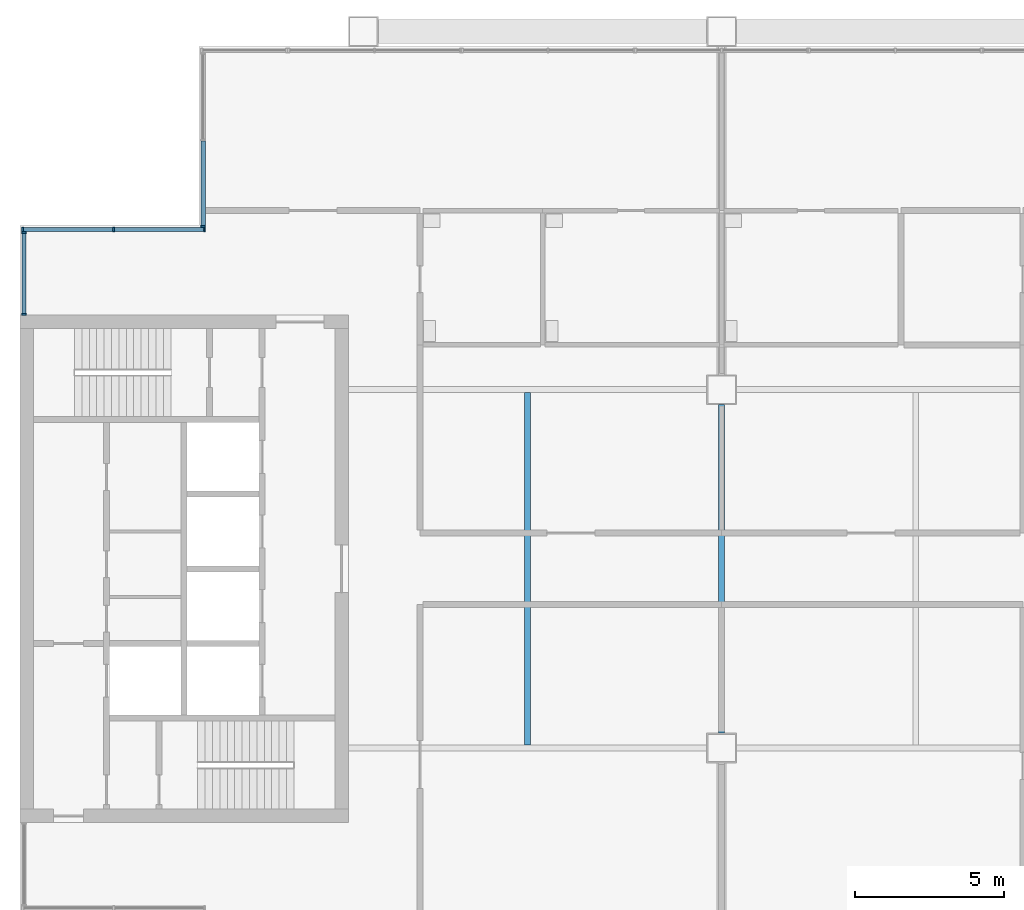
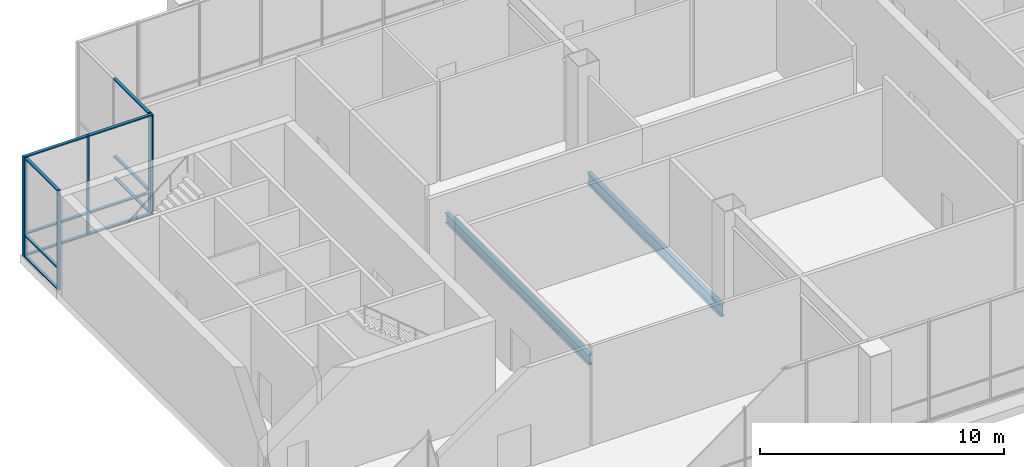
# One storey, part 4 of 15: 18 members, 2 beams, 3 elements without a shape of their own.
"""IFC4 building model written with IfcOpenShell, lengths in metres."""

from ifc_helpers import new_model, si_unit, direction, frame, origin, origin_2d, place, context, subcontext, project, spatial, rectangle, i_section, extrude, material, material_profile, profile_set, type_object, element, aggregate, save


model = new_model("IFC4")

# Units and contexts
model_context = context("Model", 3, precision=1e-05, world=origin(), true_north=direction((0.0, 1.0)))
body_context = subcontext(model_context, "Body", "Model", "MODEL_VIEW")
ifc_project = project(units=[si_unit("LENGTHUNIT", "METRE"), si_unit("AREAUNIT", "SQUARE_METRE"), si_unit("VOLUMEUNIT", "CUBIC_METRE"), si_unit("PLANEANGLEUNIT", "RADIAN"), si_unit("MASSUNIT", "GRAM", prefix="KILO")], contexts=[model_context])

# Site, building, storey
site_placement = place(None, origin())
site = spatial("IfcSite", under=ifc_project, at=site_placement, CompositionType="ELEMENT")
building_placement = place(site_placement, origin())
building = spatial("IfcBuilding", under=site, at=building_placement, Name="Kitamizu Gate Tower and Museum", CompositionType="ELEMENT")
storey_placement = place(building_placement, frame((0.0, 0.0, 277.949951171875)))
storey = spatial("IfcBuildingStorey", under=building, at=storey_placement, Name="L75", CompositionType="ELEMENT", Elevation=277.949951171875)

# Beams
ifc_material_1 = material(Name="Steel SM490A", Category="steel")
ifc_material_profile_1 = material_profile(ifc_material_1, i_section(OverallWidth=0.199951171875, OverallDepth=0.5, WebThickness=0.010009765625, FlangeThickness=0.01611328125, FilletRadius=0.02001953125, at=origin_2d()), Name="H-500x200x10x16")
ifc_profile_set_1 = profile_set([ifc_material_profile_1], Name="Steel SM490A")
beam_type_1 = type_object("IfcBeamType", Name="Floor beam FB1 H 500x200x10x16", PredefinedType="BEAM", material=ifc_profile_set_1)
beam_1_placement = place(storey_placement, frame((29.5, 24.10009765625, -0.64990234375), z_axis=(0.0, 1.0, 0.0), x_axis=(-1.0, 0.0, 0.0)))
element("IfcBeam", 1, at=beam_1_placement, inside=storey, type_object=beam_type_1, Name="Floor beam FB1 L75-1", PredefinedType="BEAM", context=body_context, shape_type="SweptSolid", body=[
    extrude(i_section(OverallWidth=0.199951171875, OverallDepth=0.5, WebThickness=0.010009765625, FlangeThickness=0.01611328125, FilletRadius=0.02001953125, at=origin_2d()), origin(), (0.0, 0.0, 1.0), 11.7998046875),
])
ifc_material_2 = material(Name="Steel SM490A", Category="steel")
ifc_material_profile_2 = material_profile(ifc_material_2, i_section(OverallWidth=0.199951171875, OverallDepth=0.60009765625, WebThickness=0.010986328125, FlangeThickness=0.01708984375, FilletRadius=0.02197265625, at=origin_2d()), Name="H-600x200x11x17")
ifc_profile_set_2 = profile_set([ifc_material_profile_2], Name="Steel SM490A")
beam_type_2 = type_object("IfcBeamType", Name="Floor girder FG1 H 600x200x11x17", PredefinedType="BEAM", material=ifc_profile_set_2)
beam_2_placement = place(storey_placement, frame((36.0, 24.5, -0.699951171875), z_axis=(0.0, 1.0, 0.0), x_axis=(-1.0, 0.0, 0.0)))
element("IfcBeam", 2, at=beam_2_placement, inside=storey, type_object=beam_type_2, Name="Floor girder FG1 x36 L75", PredefinedType="BEAM", context=body_context, shape_type="SweptSolid", body=[
    extrude(i_section(OverallWidth=0.199951171875, OverallDepth=0.60009765625, WebThickness=0.010986328125, FlangeThickness=0.01708984375, FilletRadius=0.02197265625, at=origin_2d()), origin(), (0.0, 0.0, 1.0), 11.0),
])

# Curtain wall, member
ifc_material_3 = material(Name="Bronze anodised aluminium frame, tinted triple glazing", Category="aluminium")
curtain_wall_type = type_object("IfcCurtainWallType", Name="CURTAIN WALL TYPE C SKY AMENITY", PredefinedType="NOTDEFINED", material=ifc_material_3)
curtain_wall_1_placement = place(storey_placement, origin())
curtain_wall_1 = element("IfcCurtainWall", 3, at=curtain_wall_1_placement, inside=storey, type_object=curtain_wall_type, Name="Curtain wall CW-C west L75", PredefinedType="NOTDEFINED")
ifc_material_4 = material(Name="Bronze anodised aluminium", Category="aluminium")
ifc_material_profile_3 = material_profile(ifc_material_4, rectangle(XDim=0.06005859375, YDim=0.14990234375, at=origin_2d()), Name="AL 60X150")
ifc_profile_set_3 = profile_set([ifc_material_profile_3], Name="Bronze anodised aluminium")
member_type_1 = type_object("IfcMemberType", Name="MULLION 60 X 150 TYPE C", PredefinedType="MULLION", material=ifc_profile_set_3)
member_1_placement = place(storey_placement, frame((18.635009765625, 41.469970703125, 0.0), z_axis=(0.0, 0.0, 1.0), x_axis=(0.0, 1.0, 0.0)))
member_1 = element("IfcMember", 4, at=member_1_placement, type_object=member_type_1, Name="CW-C mullion 1", PredefinedType="MULLION", context=body_context, shape_type="SweptSolid", body=[
    extrude(rectangle(XDim=0.06005859375, YDim=0.14990234375, at=origin_2d()), origin(), (0.0, 0.0, 1.0), 5.0),
])

# Curtain wall, members
curtain_wall_2_placement = place(storey_placement, origin())
curtain_wall_2 = element("IfcCurtainWall", 5, at=curtain_wall_2_placement, inside=storey, type_object=curtain_wall_type, Name="Curtain wall CW-C north L75", PredefinedType="NOTDEFINED")
member_2_placement = place(storey_placement, frame((12.590087890625, 41.364990234375, 0.0), z_axis=(0.0, 0.0, 1.0), x_axis=(1.0, 0.0, 0.0)))
member_2 = element("IfcMember", 6, at=member_2_placement, type_object=member_type_1, Name="CW-C mullion 1", PredefinedType="MULLION", context=body_context, shape_type="SweptSolid", body=[
    extrude(rectangle(XDim=0.06005859375, YDim=0.14990234375, at=origin_2d()), origin(), (0.0, 0.0, 1.0), 5.0),
])
member_3_placement = place(storey_placement, frame((15.635009765625, 41.364990234375, 0.0), z_axis=(0.0, 0.0, 1.0), x_axis=(1.0, 0.0, 0.0)))
member_3 = element("IfcMember", 7, at=member_3_placement, type_object=member_type_1, Name="CW-C mullion 2", PredefinedType="MULLION", context=body_context, shape_type="SweptSolid", body=[
    extrude(rectangle(XDim=0.06005859375, YDim=0.14990234375, at=origin_2d()), origin(), (0.0, 0.0, 1.0), 5.0),
])
member_4_placement = place(storey_placement, frame((18.679931640625, 41.364990234375, 0.0), z_axis=(0.0, 0.0, 1.0), x_axis=(1.0, 0.0, 0.0)))
member_4 = element("IfcMember", 8, at=member_4_placement, type_object=member_type_1, Name="CW-C mullion 3", PredefinedType="MULLION", context=body_context, shape_type="SweptSolid", body=[
    extrude(rectangle(XDim=0.06005859375, YDim=0.14990234375, at=origin_2d()), origin(), (0.0, 0.0, 1.0), 5.0),
])

curtain_wall_3_placement = place(storey_placement, origin())
curtain_wall_3 = element("IfcCurtainWall", 9, at=curtain_wall_3_placement, inside=storey, type_object=curtain_wall_type, Name="Curtain wall CW-C west L75", PredefinedType="NOTDEFINED")
member_5_placement = place(storey_placement, frame((12.635009765625, 38.530029296875, 0.0), z_axis=(0.0, 0.0, 1.0), x_axis=(0.0, 1.0, 0.0)))
member_5 = element("IfcMember", 10, at=member_5_placement, type_object=member_type_1, Name="CW-C mullion 1", PredefinedType="MULLION", context=body_context, shape_type="SweptSolid", body=[
    extrude(rectangle(XDim=0.06005859375, YDim=0.14990234375, at=origin_2d()), origin(), (0.0, 0.0, 1.0), 5.0),
])
member_6_placement = place(storey_placement, frame((12.635009765625, 41.260009765625, 0.0), z_axis=(0.0, 0.0, 1.0), x_axis=(0.0, 1.0, 0.0)))
member_6 = element("IfcMember", 11, at=member_6_placement, type_object=member_type_1, Name="CW-C mullion 2", PredefinedType="MULLION", context=body_context, shape_type="SweptSolid", body=[
    extrude(rectangle(XDim=0.06005859375, YDim=0.14990234375, at=origin_2d()), origin(), (0.0, 0.0, 1.0), 5.0),
])

# Member
ifc_material_5 = material(Name="Bronze anodised aluminium", Category="aluminium")
ifc_material_profile_4 = material_profile(ifc_material_5, rectangle(XDim=0.139892578125, YDim=0.06005859375, at=origin_2d()), Name="AL 60X140")
ifc_profile_set_4 = profile_set([ifc_material_profile_4], Name="Bronze anodised aluminium")
member_type_2 = type_object("IfcMemberType", Name="TRANSOM 60 X 140 TYPE C", PredefinedType="USERDEFINED", material=ifc_profile_set_4)
member_7_placement = place(storey_placement, frame((18.635009765625, 41.5, 0.030029296875), z_axis=(0.0, 1.0, 0.0), x_axis=(-1.0, 0.0, 0.0)))
member_7 = element("IfcMember", 12, at=member_7_placement, type_object=member_type_2, Name="CW-C transom 1.1", ObjectType="TRANSOM", PredefinedType="USERDEFINED", context=body_context, shape_type="SweptSolid", body=[
    extrude(rectangle(XDim=0.139892578125, YDim=0.06005859375, at=origin_2d()), origin(), (0.0, 0.0, 1.0), 2.8349609375),
])

member_8_placement = place(storey_placement, frame((18.635009765625, 41.5, 1.10009765625), z_axis=(0.0, 1.0, 0.0), x_axis=(-1.0, 0.0, 0.0)))
member_8 = element("IfcMember", 13, at=member_8_placement, type_object=member_type_2, Name="CW-C transom 1.2", ObjectType="TRANSOM", PredefinedType="USERDEFINED", context=body_context, shape_type="SweptSolid", body=[
    extrude(rectangle(XDim=0.139892578125, YDim=0.06005859375, at=origin_2d()), origin(), (0.0, 0.0, 1.0), 2.8349609375),
])

member_9_placement = place(storey_placement, frame((18.635009765625, 41.5, 4.969970703125), z_axis=(0.0, 1.0, 0.0), x_axis=(-1.0, 0.0, 0.0)))
member_9 = element("IfcMember", 14, at=member_9_placement, type_object=member_type_2, Name="CW-C transom 1.3", ObjectType="TRANSOM", PredefinedType="USERDEFINED", context=body_context, shape_type="SweptSolid", body=[
    extrude(rectangle(XDim=0.139892578125, YDim=0.06005859375, at=origin_2d()), origin(), (0.0, 0.0, 1.0), 2.8349609375),
])

aggregate(curtain_wall_1, [member_1, member_7, member_8, member_9])

member_10_placement = place(storey_placement, frame((12.6201171875, 41.364990234375, 0.030029296875), z_axis=(1.0, 0.0, 0.0), x_axis=(0.0, 1.0, 0.0)))
member_10 = element("IfcMember", 15, at=member_10_placement, type_object=member_type_2, Name="CW-C transom 1.1", ObjectType="TRANSOM", PredefinedType="USERDEFINED", context=body_context, shape_type="SweptSolid", body=[
    extrude(rectangle(XDim=0.139892578125, YDim=0.06005859375, at=origin_2d()), origin(), (0.0, 0.0, 1.0), 2.98486328125),
])

member_11_placement = place(storey_placement, frame((12.6201171875, 41.364990234375, 1.10009765625), z_axis=(1.0, 0.0, 0.0), x_axis=(0.0, 1.0, 0.0)))
member_11 = element("IfcMember", 16, at=member_11_placement, type_object=member_type_2, Name="CW-C transom 1.2", ObjectType="TRANSOM", PredefinedType="USERDEFINED", context=body_context, shape_type="SweptSolid", body=[
    extrude(rectangle(XDim=0.139892578125, YDim=0.06005859375, at=origin_2d()), origin(), (0.0, 0.0, 1.0), 2.98486328125),
])

member_12_placement = place(storey_placement, frame((12.6201171875, 41.364990234375, 4.969970703125), z_axis=(1.0, 0.0, 0.0), x_axis=(0.0, 1.0, 0.0)))
member_12 = element("IfcMember", 17, at=member_12_placement, type_object=member_type_2, Name="CW-C transom 1.3", ObjectType="TRANSOM", PredefinedType="USERDEFINED", context=body_context, shape_type="SweptSolid", body=[
    extrude(rectangle(XDim=0.139892578125, YDim=0.06005859375, at=origin_2d()), origin(), (0.0, 0.0, 1.0), 2.98486328125),
])

member_13_placement = place(storey_placement, frame((15.6650390625, 41.364990234375, 0.030029296875), z_axis=(1.0, 0.0, 0.0), x_axis=(0.0, 1.0, 0.0)))
member_13 = element("IfcMember", 18, at=member_13_placement, type_object=member_type_2, Name="CW-C transom 2.1", ObjectType="TRANSOM", PredefinedType="USERDEFINED", context=body_context, shape_type="SweptSolid", body=[
    extrude(rectangle(XDim=0.139892578125, YDim=0.06005859375, at=origin_2d()), origin(), (0.0, 0.0, 1.0), 2.98486328125),
])

member_14_placement = place(storey_placement, frame((15.6650390625, 41.364990234375, 1.10009765625), z_axis=(1.0, 0.0, 0.0), x_axis=(0.0, 1.0, 0.0)))
member_14 = element("IfcMember", 19, at=member_14_placement, type_object=member_type_2, Name="CW-C transom 2.2", ObjectType="TRANSOM", PredefinedType="USERDEFINED", context=body_context, shape_type="SweptSolid", body=[
    extrude(rectangle(XDim=0.139892578125, YDim=0.06005859375, at=origin_2d()), origin(), (0.0, 0.0, 1.0), 2.98486328125),
])

member_15_placement = place(storey_placement, frame((15.6650390625, 41.364990234375, 4.969970703125), z_axis=(1.0, 0.0, 0.0), x_axis=(0.0, 1.0, 0.0)))
member_15 = element("IfcMember", 20, at=member_15_placement, type_object=member_type_2, Name="CW-C transom 2.3", ObjectType="TRANSOM", PredefinedType="USERDEFINED", context=body_context, shape_type="SweptSolid", body=[
    extrude(rectangle(XDim=0.139892578125, YDim=0.06005859375, at=origin_2d()), origin(), (0.0, 0.0, 1.0), 2.98486328125),
])

aggregate(curtain_wall_2, [member_2, member_3, member_4, member_10, member_11, member_12, member_13, member_14, member_15])

member_16_placement = place(storey_placement, frame((12.635009765625, 38.56005859375, 0.030029296875), z_axis=(0.0, 1.0, 0.0), x_axis=(-1.0, 0.0, 0.0)))
member_16 = element("IfcMember", 21, at=member_16_placement, type_object=member_type_2, Name="CW-C transom 1.1", ObjectType="TRANSOM", PredefinedType="USERDEFINED", context=body_context, shape_type="SweptSolid", body=[
    extrude(rectangle(XDim=0.139892578125, YDim=0.06005859375, at=origin_2d()), origin(), (0.0, 0.0, 1.0), 2.669921875),
])

member_17_placement = place(storey_placement, frame((12.635009765625, 38.56005859375, 1.10009765625), z_axis=(0.0, 1.0, 0.0), x_axis=(-1.0, 0.0, 0.0)))
member_17 = element("IfcMember", 22, at=member_17_placement, type_object=member_type_2, Name="CW-C transom 1.2", ObjectType="TRANSOM", PredefinedType="USERDEFINED", context=body_context, shape_type="SweptSolid", body=[
    extrude(rectangle(XDim=0.139892578125, YDim=0.06005859375, at=origin_2d()), origin(), (0.0, 0.0, 1.0), 2.669921875),
])

member_18_placement = place(storey_placement, frame((12.635009765625, 38.56005859375, 4.969970703125), z_axis=(0.0, 1.0, 0.0), x_axis=(-1.0, 0.0, 0.0)))
member_18 = element("IfcMember", 23, at=member_18_placement, type_object=member_type_2, Name="CW-C transom 1.3", ObjectType="TRANSOM", PredefinedType="USERDEFINED", context=body_context, shape_type="SweptSolid", body=[
    extrude(rectangle(XDim=0.139892578125, YDim=0.06005859375, at=origin_2d()), origin(), (0.0, 0.0, 1.0), 2.669921875),
])

aggregate(curtain_wall_3, [member_5, member_6, member_16, member_17, member_18])

save(model, "model.ifc")
